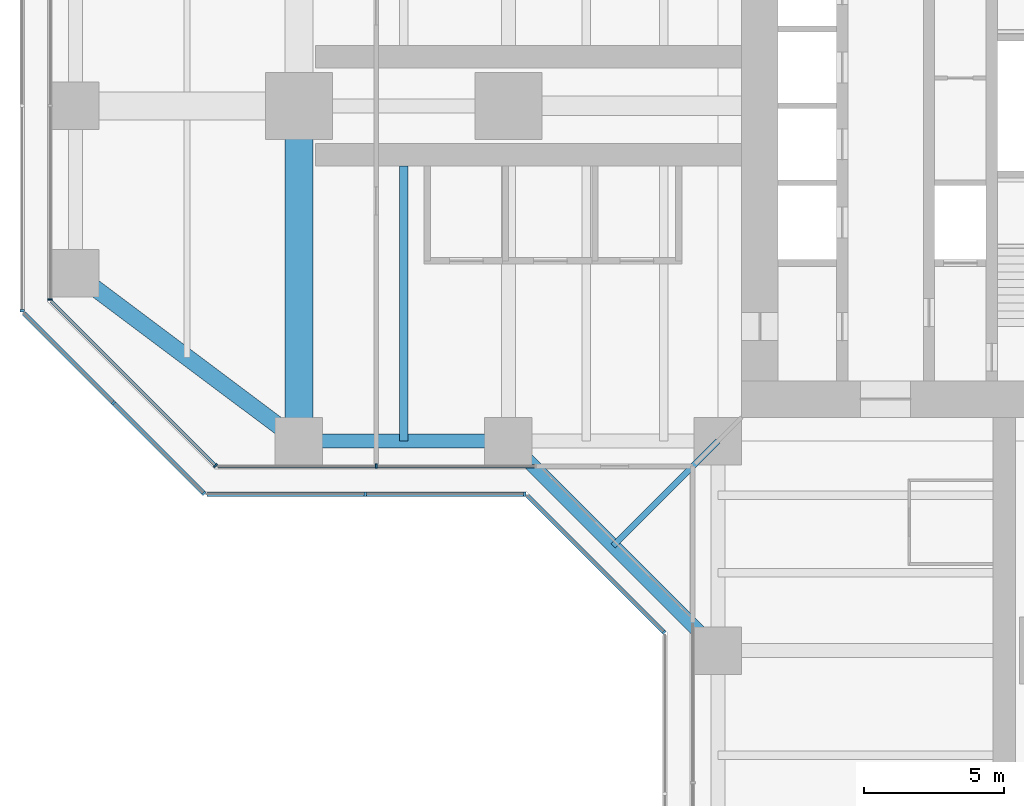
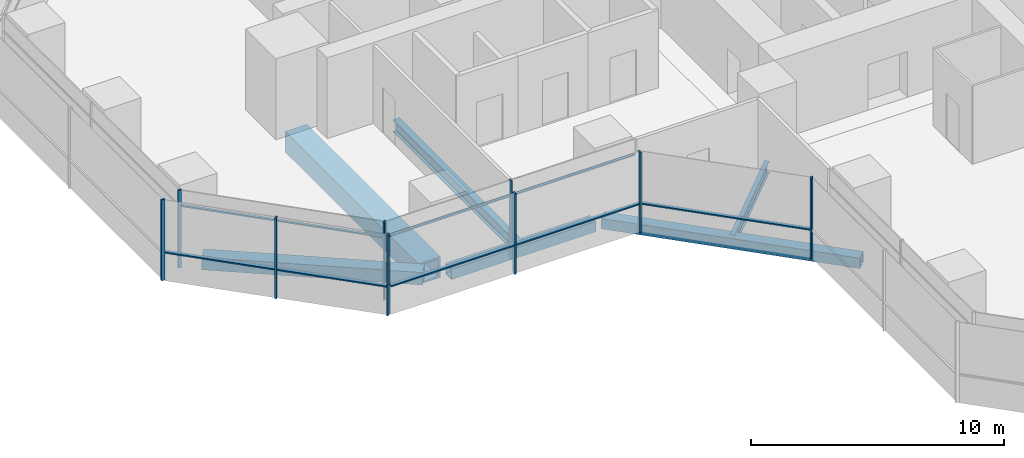
# One storey, part 3 of 22: 17 members, 6 beams, 7 elements without a shape of their own.
"""IFC4 building model written with IfcOpenShell, lengths in metres."""

from ifc_helpers import new_model, si_unit, direction, frame, origin, origin_2d, place, context, subcontext, project, spatial, rectangle, hollow_rectangle, i_section, extrude, material, material_profile, profile_set, type_object, element, aggregate, save


model = new_model("IFC4")

# Units and contexts
model_context = context("Model", 3, precision=1e-05, world=origin(), true_north=direction((0.0, 1.0)))
body_context = subcontext(model_context, "Body", "Model", "MODEL_VIEW")
ifc_project = project(units=[si_unit("LENGTHUNIT", "METRE"), si_unit("AREAUNIT", "SQUARE_METRE"), si_unit("VOLUMEUNIT", "CUBIC_METRE"), si_unit("PLANEANGLEUNIT", "RADIAN"), si_unit("MASSUNIT", "GRAM", prefix="KILO")], contexts=[model_context])

# Site, building, storey
site_placement = place(None, origin())
site = spatial("IfcSite", under=ifc_project, at=site_placement, CompositionType="ELEMENT")
building_placement = place(site_placement, origin())
building = spatial("IfcBuilding", under=site, at=building_placement, Name="Mizan Broadcast Tower", CompositionType="ELEMENT")
storey_placement = place(building_placement, frame((0.0, 0.0, 47.39990234375)))
storey = spatial("IfcBuildingStorey", under=building, at=storey_placement, Name="L08", CompositionType="ELEMENT", Elevation=47.39990234375)

# Beams
ifc_material_1 = material(Name="Steel S355", Category="steel")
ifc_material_profile_1 = material_profile(ifc_material_1, hollow_rectangle(XDim=0.5, YDim=0.5, WallThickness=0.030029296875, at=origin_2d()), Name="BOX 500x500x30")
ifc_profile_set_1 = profile_set([ifc_material_profile_1], Name="Steel S355")
beam_type_1 = type_object("IfcBeamType", Name="EDGE BEAM BOX 500x500x30", PredefinedType="SPANDREL", material=ifc_profile_set_1)
beam_1_placement = place(storey_placement, frame((-19.949951171875, -12.0, -0.3798828125), z_axis=(-1.0, 0.0, 0.0), x_axis=(0.0, -1.0, 0.0)))
element("IfcBeam", 1, at=beam_1_placement, inside=storey, type_object=beam_type_1, Name="Edge beam BOX 500x500x30 L08 west arm", PredefinedType="SPANDREL", context=body_context, shape_type="SweptSolid", body=[
    extrude(hollow_rectangle(XDim=0.5, YDim=0.5, WallThickness=0.030029296875, at=origin_2d()), origin(), (0.0, 0.0, 1.0), 6.60009765625),
])
beam_2_placement = place(storey_placement, frame((-19.5, -12.0, -0.3798828125), z_axis=(0.707106781187, -0.707106781187, 0.0), x_axis=(0.707106781187, 0.707106781187, 0.0)))
element("IfcBeam", 2, at=beam_2_placement, inside=storey, type_object=beam_type_1, Name="Winter garden edge beam L08 W", PredefinedType="SPANDREL", context=body_context, shape_type="SweptSolid", body=[
    extrude(hollow_rectangle(XDim=0.5, YDim=0.5, WallThickness=0.030029296875, at=origin_2d()), origin(), (0.0, 0.0, 1.0), 10.606689453125),
])
ifc_material_2 = material(Name="Steel S355", Category="steel")
ifc_material_profile_2 = material_profile(ifc_material_2, hollow_rectangle(XDim=0.60009765625, YDim=0.60009765625, WallThickness=0.030029296875, at=origin_2d()), Name="BOX 600x600x30")
ifc_profile_set_2 = profile_set([ifc_material_profile_2], Name="Steel S355")
beam_type_2 = type_object("IfcBeamType", Name="EDGE BEAM BOX 600x600x30", PredefinedType="SPANDREL", material=ifc_profile_set_2)
beam_3_placement = place(storey_placement, frame((-27.47998046875, -11.639892578125, -0.429931640625), z_axis=(-0.800013316712, 0.599982243973, 0.0), x_axis=(-0.599982243973, -0.800013316712, 0.0)))
element("IfcBeam", 3, at=beam_3_placement, inside=storey, type_object=beam_type_2, Name="Edge beam BOX 600x600x30 L08 west arm", PredefinedType="SPANDREL", context=body_context, shape_type="SweptSolid", body=[
    extrude(hollow_rectangle(XDim=0.60009765625, YDim=0.60009765625, WallThickness=0.030029296875, at=origin_2d()), origin(), (0.0, 0.0, 1.0), 8.7998046875),
])
ifc_material_3 = material(Name="Steel S460", Category="steel")
ifc_material_profile_3 = material_profile(ifc_material_3, hollow_rectangle(XDim=1.0, YDim=1.0, WallThickness=0.080078125, at=origin_2d()), Name="BOX 1000x1000x80")
ifc_profile_set_3 = profile_set([ifc_material_profile_3], Name="Steel S460")
beam_type_3 = type_object("IfcBeamType", Name="GIRDER BOX 1000x1000x80", PredefinedType="BEAM", material=ifc_profile_set_3)
beam_4_placement = place(storey_placement, frame((-27.0, -11.280029296875, -0.6298828125), z_axis=(0.0, 1.0, 0.0), x_axis=(-1.0, 0.0, 0.0)))
element("IfcBeam", 4, at=beam_4_placement, inside=storey, type_object=beam_type_3, Name="Girder BOX 1000x1000x80 L08 west arm", PredefinedType="BEAM", context=body_context, shape_type="SweptSolid", body=[
    extrude(hollow_rectangle(XDim=1.0, YDim=1.0, WallThickness=0.080078125, at=origin_2d()), origin(), (0.0, 0.0, 1.0), 10.56005859375),
])

# Curtain wall, member
ifc_material_4 = material(Name="Aluminium framed glazing", Category="aluminium")
curtain_wall_type_1 = type_object("IfcCurtainWallType", Name="INNER SKIN LOW ZONE", PredefinedType="USERDEFINED", material=ifc_material_4)
curtain_wall_1_placement = place(storey_placement, origin())
curtain_wall_1 = element("IfcCurtainWall", 5, at=curtain_wall_1_placement, inside=storey, type_object=curtain_wall_type_1, Name="Inner skin low zone L08 W end", ObjectType="INNER SKIN LOW ZONE", PredefinedType="USERDEFINED")
ifc_material_5 = material(Name="Aluminium, pale anodised", Category="aluminium")
ifc_material_profile_4 = material_profile(ifc_material_5, rectangle(XDim=0.159912109375, YDim=0.06005859375, at=origin_2d()), Name="MULLION 160x60")
ifc_profile_set_4 = profile_set([ifc_material_profile_4], Name="Aluminium, pale anodised")
member_type_1 = type_object("IfcMemberType", Name="INNER SKIN MULLION 60x160", PredefinedType="MULLION", material=ifc_profile_set_4)
member_1_placement = place(storey_placement, frame((-35.89990234375, -6.928466796875, 0.0), z_axis=(0.0, 0.0, 1.0), x_axis=(1.0, 0.0, 0.0)))
member_1 = element("IfcMember", 6, at=member_1_placement, type_object=member_type_1, Name="Inner skin low zone L08 W end mullion 3", PredefinedType="MULLION", context=body_context, shape_type="SweptSolid", body=[
    extrude(rectangle(XDim=0.159912109375, YDim=0.06005859375, at=origin_2d()), origin(), (0.0, 0.0, 1.0), 3.77001953125),
])
aggregate(curtain_wall_1, [member_1])

curtain_wall_2_placement = place(storey_placement, origin())
curtain_wall_2 = element("IfcCurtainWall", 7, at=curtain_wall_2_placement, inside=storey, type_object=curtain_wall_type_1, Name="Inner skin low zone L08 W chamfer", ObjectType="INNER SKIN LOW ZONE", PredefinedType="USERDEFINED")
member_2_placement = place(storey_placement, frame((-29.979736328125, -12.87890625, 0.0), z_axis=(0.0, 0.0, 1.0), x_axis=(0.707106781187, 0.707106781187, 0.0)))
member_2 = element("IfcMember", 8, at=member_2_placement, type_object=member_type_1, Name="Inner skin low zone L08 W chamfer mullion 2", PredefinedType="MULLION", context=body_context, shape_type="SweptSolid", body=[
    extrude(rectangle(XDim=0.159912109375, YDim=0.06005859375, at=origin_2d()), origin(), (0.0, 0.0, 1.0), 3.77001953125),
])

curtain_wall_3_placement = place(storey_placement, origin())
curtain_wall_3 = element("IfcCurtainWall", 9, at=curtain_wall_3_placement, inside=storey, type_object=curtain_wall_type_1, Name="Inner skin low zone L08 W side", ObjectType="INNER SKIN LOW ZONE", PredefinedType="USERDEFINED")
member_3_placement = place(storey_placement, frame((-24.229248046875, -12.89990234375, 0.0), z_axis=(0.0, 0.0, 1.0), x_axis=(0.0, 1.0, 0.0)))
member_3 = element("IfcMember", 10, at=member_3_placement, type_object=member_type_1, Name="Inner skin low zone L08 W side mullion 2", PredefinedType="MULLION", context=body_context, shape_type="SweptSolid", body=[
    extrude(rectangle(XDim=0.159912109375, YDim=0.06005859375, at=origin_2d()), origin(), (0.0, 0.0, 1.0), 3.77001953125),
])

# Member
ifc_material_6 = material(Name="Aluminium, pale anodised", Category="aluminium")
ifc_material_profile_5 = material_profile(ifc_material_6, rectangle(XDim=0.1201171875, YDim=0.06005859375, at=origin_2d()), Name="TRANSOM 120x60")
ifc_profile_set_5 = profile_set([ifc_material_profile_5], Name="Aluminium, pale anodised")
member_type_2 = type_object("IfcMemberType", Name="INNER SKIN TRANSOM 60x120", PredefinedType="USERDEFINED", material=ifc_profile_set_5)
member_4_placement = place(storey_placement, frame((-35.857666015625, -7.0009765625, 3.030029296875), z_axis=(0.707106781187, -0.707106781187, 0.0), x_axis=(0.707106781187, 0.707106781187, 0.0)))
member_4 = element("IfcMember", 11, at=member_4_placement, type_object=member_type_2, Name="Inner skin low zone L08 W chamfer transom 1.1", ObjectType="TRANSOM", PredefinedType="USERDEFINED", context=body_context, shape_type="SweptSolid", body=[
    extrude(rectangle(XDim=0.1201171875, YDim=0.06005859375, at=origin_2d()), origin(), (0.0, 0.0, 1.0), 8.28271484375),
])

aggregate(curtain_wall_2, [member_2, member_4])

member_5_placement = place(storey_placement, frame((-29.898681640625, -12.89990234375, 3.030029296875), z_axis=(1.0, 0.0, 0.0), x_axis=(0.0, 1.0, 0.0)))
member_5 = element("IfcMember", 12, at=member_5_placement, type_object=member_type_2, Name="Inner skin low zone L08 W side transom 1.1", ObjectType="TRANSOM", PredefinedType="USERDEFINED", context=body_context, shape_type="SweptSolid", body=[
    extrude(rectangle(XDim=0.1201171875, YDim=0.06005859375, at=origin_2d()), origin(), (0.0, 0.0, 1.0), 5.639404296875),
])

member_6_placement = place(storey_placement, frame((-24.19921875, -12.89990234375, 3.030029296875), z_axis=(1.0, 0.0, 0.0), x_axis=(0.0, 1.0, 0.0)))
member_6 = element("IfcMember", 13, at=member_6_placement, type_object=member_type_2, Name="Inner skin low zone L08 W side transom 2.1", ObjectType="TRANSOM", PredefinedType="USERDEFINED", context=body_context, shape_type="SweptSolid", body=[
    extrude(rectangle(XDim=0.1201171875, YDim=0.06005859375, at=origin_2d()), origin(), (0.0, 0.0, 1.0), 5.63916015625),
])

aggregate(curtain_wall_3, [member_3, member_5, member_6])

# Curtain wall, member
ifc_material_7 = material(Name="Aluminium framed glazing", Category="aluminium")
curtain_wall_type_2 = type_object("IfcCurtainWallType", Name="OUTER SKIN", PredefinedType="USERDEFINED", material=ifc_material_7)
curtain_wall_4_placement = place(storey_placement, origin())
curtain_wall_4 = element("IfcCurtainWall", 14, at=curtain_wall_4_placement, inside=storey, type_object=curtain_wall_type_2, Name="Outer skin L08 W end", ObjectType="OUTER SKIN", PredefinedType="USERDEFINED")
ifc_material_8 = material(Name="Aluminium, pale anodised", Category="aluminium")
ifc_material_profile_6 = material_profile(ifc_material_8, rectangle(XDim=0.159912109375, YDim=0.080078125, at=origin_2d()), Name="MULLION 160x80")
ifc_profile_set_6 = profile_set([ifc_material_profile_6], Name="Aluminium, pale anodised")
member_type_3 = type_object("IfcMemberType", Name="OUTER SKIN MULLION 80x160", PredefinedType="MULLION", material=ifc_profile_set_6)
member_7_placement = place(storey_placement, frame((-36.89990234375, -7.332763671875, 0.0), z_axis=(0.0, 0.0, 1.0), x_axis=(1.0, 0.0, 0.0)))
member_7 = element("IfcMember", 15, at=member_7_placement, type_object=member_type_3, Name="Outer skin L08 W end mullion 3", PredefinedType="MULLION", context=body_context, shape_type="SweptSolid", body=[
    extrude(rectangle(XDim=0.159912109375, YDim=0.080078125, at=origin_2d()), origin(), (0.0, 0.0, 1.0), 3.900146484375),
])
aggregate(curtain_wall_4, [member_7])

# Curtain wall, members
curtain_wall_5_placement = place(storey_placement, origin())
curtain_wall_5 = element("IfcCurtainWall", 16, at=curtain_wall_5_placement, inside=storey, type_object=curtain_wall_type_2, Name="Outer skin L08 W chamfer", ObjectType="OUTER SKIN", PredefinedType="USERDEFINED")
member_8_placement = place(storey_placement, frame((-33.636474609375, -10.636474609375, 0.0), z_axis=(0.0, 0.0, 1.0), x_axis=(0.707106781187, 0.707106781187, 0.0)))
member_8 = element("IfcMember", 17, at=member_8_placement, type_object=member_type_3, Name="Outer skin L08 W chamfer mullion 2", PredefinedType="MULLION", context=body_context, shape_type="SweptSolid", body=[
    extrude(rectangle(XDim=0.159912109375, YDim=0.080078125, at=origin_2d()), origin(), (0.0, 0.0, 1.0), 3.900146484375),
])
member_9_placement = place(storey_placement, frame((-30.401123046875, -13.871826171875, 0.0), z_axis=(0.0, 0.0, 1.0), x_axis=(0.707106781187, 0.707106781187, 0.0)))
member_9 = element("IfcMember", 18, at=member_9_placement, type_object=member_type_3, Name="Outer skin L08 W chamfer mullion 3", PredefinedType="MULLION", context=body_context, shape_type="SweptSolid", body=[
    extrude(rectangle(XDim=0.159912109375, YDim=0.080078125, at=origin_2d()), origin(), (0.0, 0.0, 1.0), 3.900146484375),
])

curtain_wall_6_placement = place(storey_placement, origin())
curtain_wall_6 = element("IfcCurtainWall", 19, at=curtain_wall_6_placement, inside=storey, type_object=curtain_wall_type_2, Name="Outer skin L08 W side", ObjectType="OUTER SKIN", PredefinedType="USERDEFINED")
member_10_placement = place(storey_placement, frame((-24.622802734375, -13.89990234375, 0.0), z_axis=(0.0, 0.0, 1.0), x_axis=(0.0, 1.0, 0.0)))
member_10 = element("IfcMember", 20, at=member_10_placement, type_object=member_type_3, Name="Outer skin L08 W side mullion 2", PredefinedType="MULLION", context=body_context, shape_type="SweptSolid", body=[
    extrude(rectangle(XDim=0.159912109375, YDim=0.080078125, at=origin_2d()), origin(), (0.0, 0.0, 1.0), 3.900146484375),
])
member_11_placement = place(storey_placement, frame((-18.912841796875, -13.89990234375, 0.0), z_axis=(0.0, 0.0, 1.0), x_axis=(0.0, 1.0, 0.0)))
member_11 = element("IfcMember", 21, at=member_11_placement, type_object=member_type_3, Name="Outer skin L08 W side mullion 3", PredefinedType="MULLION", context=body_context, shape_type="SweptSolid", body=[
    extrude(rectangle(XDim=0.159912109375, YDim=0.080078125, at=origin_2d()), origin(), (0.0, 0.0, 1.0), 3.900146484375),
])

# Curtain wall, member
curtain_wall_7_placement = place(storey_placement, origin())
curtain_wall_7 = element("IfcCurtainWall", 22, at=curtain_wall_7_placement, inside=storey, type_object=curtain_wall_type_2, Name="Outer skin L08 W chamfer", ObjectType="OUTER SKIN", PredefinedType="USERDEFINED")
member_12_placement = place(storey_placement, frame((-13.92822265625, -18.844482421875, 0.0), z_axis=(0.0, 0.0, 1.0), x_axis=(0.707106781187, 0.707106781187, 0.0)))
member_12 = element("IfcMember", 23, at=member_12_placement, type_object=member_type_3, Name="Outer skin L08 W chamfer mullion 2", PredefinedType="MULLION", context=body_context, shape_type="SweptSolid", body=[
    extrude(rectangle(XDim=0.159912109375, YDim=0.080078125, at=origin_2d()), origin(), (0.0, 0.0, 1.0), 3.900146484375),
])

# Member
ifc_material_9 = material(Name="Aluminium, pale anodised", Category="aluminium")
ifc_material_profile_7 = material_profile(ifc_material_9, rectangle(XDim=0.159912109375, YDim=0.06005859375, at=origin_2d()), Name="TRANSOM 160x60")
ifc_profile_set_7 = profile_set([ifc_material_profile_7], Name="Aluminium, pale anodised")
member_type_4 = type_object("IfcMemberType", Name="OUTER SKIN TRANSOM 60x160", PredefinedType="USERDEFINED", material=ifc_profile_set_7)
member_13_placement = place(storey_placement, frame((-36.843505859375, -7.429443359375, 1.400146484375), z_axis=(0.707106781187, -0.707106781187, 0.0), x_axis=(0.707106781187, 0.707106781187, 0.0)))
member_13 = element("IfcMember", 24, at=member_13_placement, type_object=member_type_4, Name="Outer skin L08 W chamfer transom 1.1", ObjectType="TRANSOM", PredefinedType="USERDEFINED", context=body_context, shape_type="SweptSolid", body=[
    extrude(rectangle(XDim=0.159912109375, YDim=0.06005859375, at=origin_2d()), origin(), (0.0, 0.0, 1.0), 4.495361328125),
])

member_14_placement = place(storey_placement, frame((-33.608154296875, -10.664794921875, 1.400146484375), z_axis=(0.707106781187, -0.707106781187, 0.0), x_axis=(0.707106781187, 0.707106781187, 0.0)))
member_14 = element("IfcMember", 25, at=member_14_placement, type_object=member_type_4, Name="Outer skin L08 W chamfer transom 2.1", ObjectType="TRANSOM", PredefinedType="USERDEFINED", context=body_context, shape_type="SweptSolid", body=[
    extrude(rectangle(XDim=0.159912109375, YDim=0.06005859375, at=origin_2d()), origin(), (0.0, 0.0, 1.0), 4.495361328125),
])

aggregate(curtain_wall_5, [member_8, member_9, member_13, member_14])

member_15_placement = place(storey_placement, frame((-30.292724609375, -13.89990234375, 1.400146484375), z_axis=(1.0, 0.0, 0.0), x_axis=(0.0, 1.0, 0.0)))
member_15 = element("IfcMember", 26, at=member_15_placement, type_object=member_type_4, Name="Outer skin L08 W side transom 1.1", ObjectType="TRANSOM", PredefinedType="USERDEFINED", context=body_context, shape_type="SweptSolid", body=[
    extrude(rectangle(XDim=0.159912109375, YDim=0.06005859375, at=origin_2d()), origin(), (0.0, 0.0, 1.0), 5.6298828125),
])

member_16_placement = place(storey_placement, frame((-24.582763671875, -13.89990234375, 1.400146484375), z_axis=(1.0, 0.0, 0.0), x_axis=(0.0, 1.0, 0.0)))
member_16 = element("IfcMember", 27, at=member_16_placement, type_object=member_type_4, Name="Outer skin L08 W side transom 2.1", ObjectType="TRANSOM", PredefinedType="USERDEFINED", context=body_context, shape_type="SweptSolid", body=[
    extrude(rectangle(XDim=0.159912109375, YDim=0.06005859375, at=origin_2d()), origin(), (0.0, 0.0, 1.0), 5.6298828125),
])

aggregate(curtain_wall_6, [member_10, member_11, member_15, member_16])

member_17_placement = place(storey_placement, frame((-18.816162109375, -13.95654296875, 1.400146484375), z_axis=(0.707106781187, -0.707106781187, 0.0), x_axis=(0.707106781187, 0.707106781187, 0.0)))
member_17 = element("IfcMember", 28, at=member_17_placement, type_object=member_type_4, Name="Outer skin L08 W chamfer transom 1.1", ObjectType="TRANSOM", PredefinedType="USERDEFINED", context=body_context, shape_type="SweptSolid", body=[
    extrude(rectangle(XDim=0.159912109375, YDim=0.06005859375, at=origin_2d()), origin(), (0.0, 0.0, 1.0), 6.87255859375),
])

aggregate(curtain_wall_7, [member_12, member_17])

# Beams
ifc_material_10 = material(Name="Steel S355", Category="steel")
ifc_material_profile_8 = material_profile(ifc_material_10, i_section(OverallWidth=0.300048828125, OverallDepth=0.590087890625, WebThickness=0.012939453125, FlangeThickness=0.02490234375, FilletRadius=0.027099609375, at=origin_2d()), Name="HEA 600")
ifc_profile_set_8 = profile_set([ifc_material_profile_8], Name="Steel S355")
beam_type_4 = type_object("IfcBeamType", Name="SECONDARY BEAM HEA 600", PredefinedType="JOIST", material=ifc_profile_set_8)
beam_5_placement = place(storey_placement, frame((-23.25, -12.0, -0.4248046875), z_axis=(0.0, 1.0, 0.0), x_axis=(-1.0, 0.0, 0.0)))
element("IfcBeam", 29, at=beam_5_placement, inside=storey, type_object=beam_type_4, Name="Secondary beam HEA 600 L08 west arm", PredefinedType="JOIST", context=body_context, shape_type="SweptSolid", body=[
    extrude(i_section(OverallWidth=0.300048828125, OverallDepth=0.590087890625, WebThickness=0.012939453125, FlangeThickness=0.02490234375, FilletRadius=0.027099609375, at=origin_2d()), origin(), (0.0, 0.0, 1.0), 9.85009765625),
])
ifc_material_11 = material(Name="Steel S355", Category="steel")
ifc_material_profile_9 = material_profile(ifc_material_11, i_section(OverallWidth=0.2099609375, OverallDepth=0.550048828125, WebThickness=0.010986328125, FlangeThickness=0.01708984375, FilletRadius=0.02392578125, at=origin_2d()), Name="IPE 550")
ifc_profile_set_9 = profile_set([ifc_material_profile_9], Name="Steel S355")
beam_type_5 = type_object("IfcBeamType", Name="SECONDARY BEAM IPE 550", PredefinedType="JOIST", material=ifc_profile_set_9)
beam_6_placement = place(storey_placement, frame((-12.0, -12.0, -0.40478515625), z_axis=(-0.707106781187, -0.707106781187, 0.0), x_axis=(0.707106781187, -0.707106781187, 0.0)))
element("IfcBeam", 30, at=beam_6_placement, inside=storey, type_object=beam_type_5, Name="Winter garden beam L08 W", PredefinedType="JOIST", context=body_context, shape_type="SweptSolid", body=[
    extrude(i_section(OverallWidth=0.2099609375, OverallDepth=0.550048828125, WebThickness=0.010986328125, FlangeThickness=0.01708984375, FilletRadius=0.02392578125, at=origin_2d()), origin(), (0.0, 0.0, 1.0), 5.30322265625),
])

save(model, "model.ifc")
